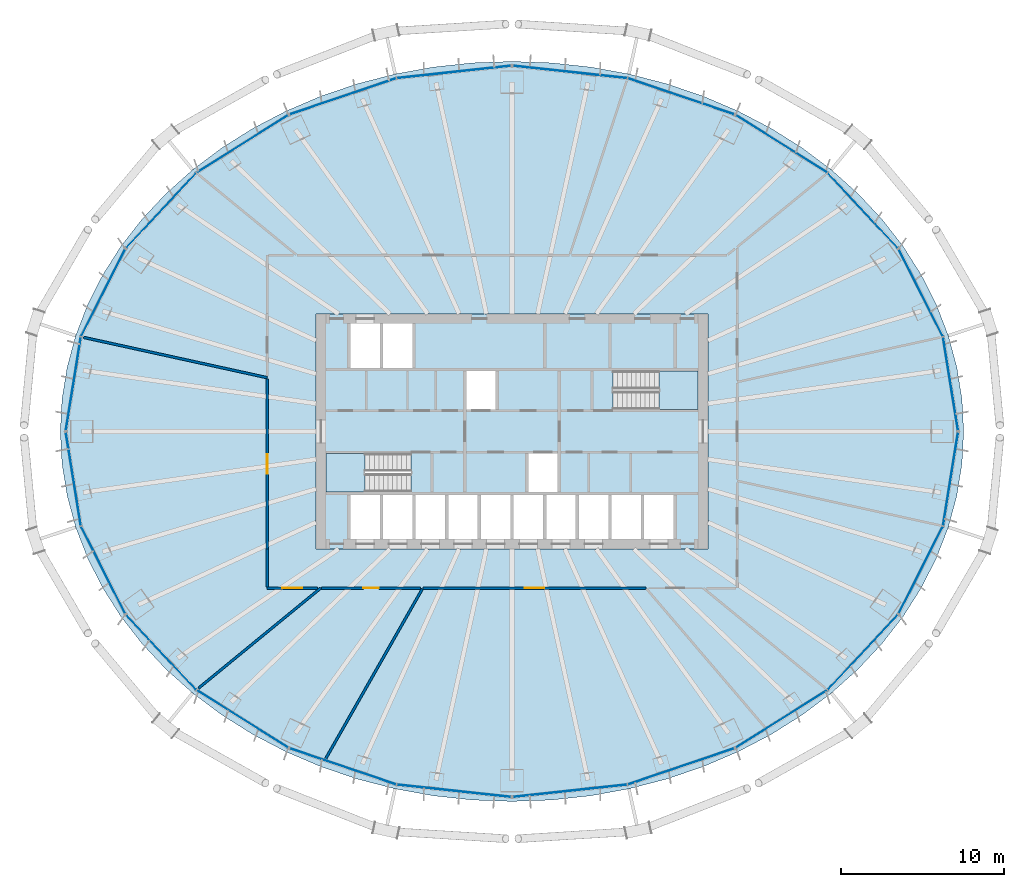
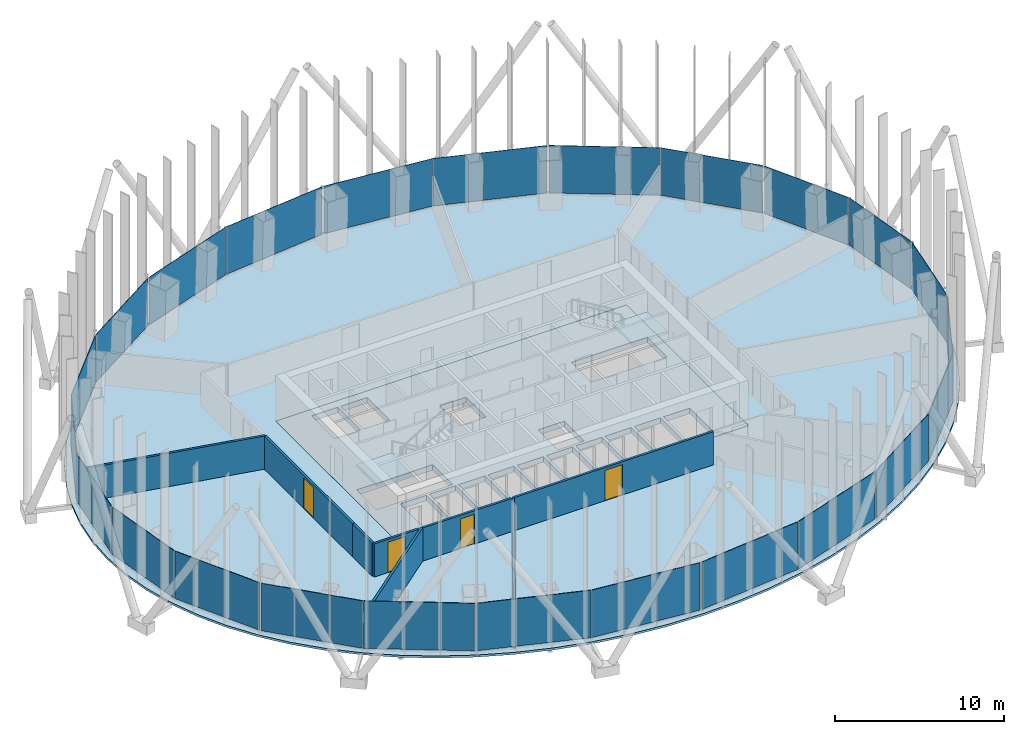
# One storey, part 6 of 19: 24 plates, 8 walls, 4 doors, 4 slabs, 4 openings, 14 elements without a shape of their own.
"""IFC4 building model written with IfcOpenShell, lengths in metres."""

from ifc_helpers import new_model, si_unit, direction, frame, frame_2d, origin, origin_2d, place, context, subcontext, project, spatial, polyline, rectangle, outline, extrude, material, layer, layer_set, type_object, element, fill, aggregate, save


model = new_model("IFC4")

# Units and contexts
model_context = context("Model", 3, precision=1e-05, world=origin(), true_north=direction((0.0, 1.0)))
body_context = subcontext(model_context, "Body", "Model", "MODEL_VIEW")
ifc_project = project(units=[si_unit("LENGTHUNIT", "METRE"), si_unit("AREAUNIT", "SQUARE_METRE"), si_unit("VOLUMEUNIT", "CUBIC_METRE"), si_unit("PLANEANGLEUNIT", "RADIAN"), si_unit("MASSUNIT", "GRAM", prefix="KILO")], contexts=[model_context])

# Site, building, storey
site_placement = place(None, origin())
site = spatial("IfcSite", under=ifc_project, at=site_placement, CompositionType="ELEMENT")
building_placement = place(site_placement, origin())
building = spatial("IfcBuilding", under=site, at=building_placement, Name="Siaravel Broadcast Tower", CompositionType="ELEMENT")
storey_placement = place(building_placement, frame((0.0, 0.0, 59.300048828125)))
storey = spatial("IfcBuildingStorey", under=building, at=storey_placement, Name="L13", CompositionType="ELEMENT", Elevation=59.300048828125)

# Curtain wall, plates
ifc_material_1 = material(Name="Aluminium 6063-T6", Category="aluminium")
ifc_layer_1 = layer(ifc_material_1, 0.219970703125)
ifc_layer_set_1 = layer_set([ifc_layer_1], Name="Aluminium 6063-T6")
curtain_wall_type = type_object("IfcCurtainWallType", Name="Unitised curtain wall, zone 1", PredefinedType="NOTDEFINED", material=ifc_layer_set_1)
curtain_wall_1_placement = place(storey_placement, origin())
curtain_wall_1 = element("IfcCurtainWall", 1, at=curtain_wall_1_placement, inside=storey, type_object=curtain_wall_type, Name="L13 Unitised curtain wall, zone 1 01", PredefinedType="NOTDEFINED")
ifc_material_2 = material(Name="Tinted laminated glass", Category="glass")
ifc_layer_2 = layer(ifc_material_2, 0.031982421875)
ifc_layer_set_2 = layer_set([ifc_layer_2], Name="Tinted laminated glass")
plate_type = type_object("IfcPlateType", Name="CW-Z1 glass panel", PredefinedType="CURTAIN_PANEL", material=ifc_layer_set_2)
plate_1_placement = place(storey_placement, frame((26.878662109375, 2.918701171875, 0.1201171875), z_axis=(0.0, 0.0, 1.0), x_axis=(-0.158686233, 0.987329063, 0.0)))
plate_1 = element("IfcPlate", 2, at=plate_1_placement, type_object=plate_type, Name="CW-Z1 glass panel", PredefinedType="CURTAIN_PANEL", context=body_context, shape_type="SweptSolid", body=[
    extrude(rectangle(XDim=5.772216796875, YDim=0.031982421875, at=origin_2d()), origin(), (0.0, 0.0, 1.0), 3.429931640625),
])
plate_2_placement = place(storey_placement, frame((25.05615234375, 8.489990234375, 0.1201171875), z_axis=(0.0, 0.0, 1.0), x_axis=(-0.451262428, 0.892391293, 0.0)))
plate_2 = element("IfcPlate", 3, at=plate_2_placement, type_object=plate_type, Name="CW-Z1 glass panel", PredefinedType="CURTAIN_PANEL", context=body_context, shape_type="SweptSolid", body=[
    extrude(rectangle(XDim=5.952880859375, YDim=0.031982421875, at=origin_2d()), origin(), (0.0, 0.0, 1.0), 3.429931640625),
])
aggregate(curtain_wall_1, [plate_1, plate_2])

curtain_wall_2_placement = place(storey_placement, origin())
curtain_wall_2 = element("IfcCurtainWall", 4, at=curtain_wall_2_placement, inside=storey, type_object=curtain_wall_type, Name="L13 Unitised curtain wall, zone 1 02", PredefinedType="NOTDEFINED")
plate_3_placement = place(storey_placement, frame((21.495849609375, 13.5419921875, 0.1201171875), z_axis=(0.0, 0.0, 1.0), x_axis=(-0.683656509, 0.729803931, 0.0)))
plate_3 = element("IfcPlate", 5, at=plate_3_placement, type_object=plate_type, Name="CW-Z1 glass panel", PredefinedType="CURTAIN_PANEL", context=body_context, shape_type="SweptSolid", body=[
    extrude(rectangle(XDim=6.25390625, YDim=0.031982421875, at=origin_2d()), origin(), (0.0, 0.0, 1.0), 3.429931640625),
])
plate_4_placement = place(storey_placement, frame((16.51708984375, 17.6201171875, 0.1201171875), z_axis=(0.0, 0.0, 1.0), x_axis=(-0.846651392, 0.532147932, 0.0)))
plate_4 = element("IfcPlate", 6, at=plate_4_placement, type_object=plate_type, Name="CW-Z1 glass panel", PredefinedType="CURTAIN_PANEL", context=body_context, shape_type="SweptSolid", body=[
    extrude(rectangle(XDim=6.584716796875, YDim=0.031982421875, at=origin_2d()), origin(), (0.0, 0.0, 1.0), 3.429931640625),
])
aggregate(curtain_wall_2, [plate_3, plate_4])

curtain_wall_3_placement = place(storey_placement, origin())
curtain_wall_3 = element("IfcCurtainWall", 7, at=curtain_wall_3_placement, inside=storey, type_object=curtain_wall_type, Name="L13 Unitised curtain wall, zone 1 03", PredefinedType="NOTDEFINED")
plate_5_placement = place(storey_placement, frame((10.3564453125, 20.53369140625, 0.1201171875), z_axis=(0.0, 0.0, 1.0), x_axis=(-0.946977551, 0.321299732, 0.0)))
plate_5 = element("IfcPlate", 8, at=plate_5_placement, type_object=plate_type, Name="CW-Z1 glass panel", PredefinedType="CURTAIN_PANEL", context=body_context, shape_type="SweptSolid", body=[
    extrude(rectangle(XDim=6.858642578125, YDim=0.031982421875, at=origin_2d()), origin(), (0.0, 0.0, 1.0), 3.429931640625),
])
plate_6_placement = place(storey_placement, frame((3.555419921875, 22.026611328125, 0.1201171875), z_axis=(0.0, 0.0, 1.0), x_axis=(-0.994235625, 0.107217176, 0.0)))
plate_6 = element("IfcPlate", 9, at=plate_6_placement, type_object=plate_type, Name="CW-Z1 glass panel", PredefinedType="CURTAIN_PANEL", context=body_context, shape_type="SweptSolid", body=[
    extrude(rectangle(XDim=7.011962890625, YDim=0.031982421875, at=origin_2d()), origin(), (0.0, 0.0, 1.0), 3.429931640625),
])
aggregate(curtain_wall_3, [plate_5, plate_6])

curtain_wall_4_placement = place(storey_placement, origin())
curtain_wall_4 = element("IfcCurtainWall", 10, at=curtain_wall_4_placement, inside=storey, type_object=curtain_wall_type, Name="L13 Unitised curtain wall, zone 1 04", PredefinedType="NOTDEFINED")
plate_7_placement = place(storey_placement, frame((-3.555419921875, 22.026611328125, 0.1201171875), z_axis=(0.0, 0.0, 1.0), x_axis=(-0.994235625, -0.107217176, 0.0)))
plate_7 = element("IfcPlate", 11, at=plate_7_placement, type_object=plate_type, Name="CW-Z1 glass panel", PredefinedType="CURTAIN_PANEL", context=body_context, shape_type="SweptSolid", body=[
    extrude(rectangle(XDim=7.011962890625, YDim=0.031982421875, at=origin_2d()), origin(), (0.0, 0.0, 1.0), 3.429931640625),
])
plate_8_placement = place(storey_placement, frame((-10.3564453125, 20.53369140625, 0.1201171875), z_axis=(0.0, 0.0, 1.0), x_axis=(-0.946977551, -0.321299732, 0.0)))
plate_8 = element("IfcPlate", 12, at=plate_8_placement, type_object=plate_type, Name="CW-Z1 glass panel", PredefinedType="CURTAIN_PANEL", context=body_context, shape_type="SweptSolid", body=[
    extrude(rectangle(XDim=6.858642578125, YDim=0.031982421875, at=origin_2d()), origin(), (0.0, 0.0, 1.0), 3.429931640625),
])
aggregate(curtain_wall_4, [plate_7, plate_8])

curtain_wall_5_placement = place(storey_placement, origin())
curtain_wall_5 = element("IfcCurtainWall", 13, at=curtain_wall_5_placement, inside=storey, type_object=curtain_wall_type, Name="L13 Unitised curtain wall, zone 1 05", PredefinedType="NOTDEFINED")
plate_9_placement = place(storey_placement, frame((-16.51708984375, 17.6201171875, 0.1201171875), z_axis=(0.0, 0.0, 1.0), x_axis=(-0.846651392, -0.532147932, 0.0)))
plate_9 = element("IfcPlate", 14, at=plate_9_placement, type_object=plate_type, Name="CW-Z1 glass panel", PredefinedType="CURTAIN_PANEL", context=body_context, shape_type="SweptSolid", body=[
    extrude(rectangle(XDim=6.584716796875, YDim=0.031982421875, at=origin_2d()), origin(), (0.0, 0.0, 1.0), 3.429931640625),
])
plate_10_placement = place(storey_placement, frame((-21.495849609375, 13.5419921875, 0.1201171875), z_axis=(0.0, 0.0, 1.0), x_axis=(-0.683656509, -0.729803931, 0.0)))
plate_10 = element("IfcPlate", 15, at=plate_10_placement, type_object=plate_type, Name="CW-Z1 glass panel", PredefinedType="CURTAIN_PANEL", context=body_context, shape_type="SweptSolid", body=[
    extrude(rectangle(XDim=6.25390625, YDim=0.031982421875, at=origin_2d()), origin(), (0.0, 0.0, 1.0), 3.429931640625),
])
aggregate(curtain_wall_5, [plate_9, plate_10])

curtain_wall_6_placement = place(storey_placement, origin())
curtain_wall_6 = element("IfcCurtainWall", 16, at=curtain_wall_6_placement, inside=storey, type_object=curtain_wall_type, Name="L13 Unitised curtain wall, zone 1 06", PredefinedType="NOTDEFINED")
plate_11_placement = place(storey_placement, frame((-25.05615234375, 8.489990234375, 0.1201171875), z_axis=(0.0, 0.0, 1.0), x_axis=(-0.451262428, -0.892391293, 0.0)))
plate_11 = element("IfcPlate", 17, at=plate_11_placement, type_object=plate_type, Name="CW-Z1 glass panel", PredefinedType="CURTAIN_PANEL", context=body_context, shape_type="SweptSolid", body=[
    extrude(rectangle(XDim=5.952880859375, YDim=0.031982421875, at=origin_2d()), origin(), (0.0, 0.0, 1.0), 3.429931640625),
])
plate_12_placement = place(storey_placement, frame((-26.878662109375, 2.918701171875, 0.1201171875), z_axis=(0.0, 0.0, 1.0), x_axis=(-0.158686233, -0.987329063, 0.0)))
plate_12 = element("IfcPlate", 18, at=plate_12_placement, type_object=plate_type, Name="CW-Z1 glass panel", PredefinedType="CURTAIN_PANEL", context=body_context, shape_type="SweptSolid", body=[
    extrude(rectangle(XDim=5.772216796875, YDim=0.031982421875, at=origin_2d()), origin(), (0.0, 0.0, 1.0), 3.429931640625),
])
aggregate(curtain_wall_6, [plate_11, plate_12])

curtain_wall_7_placement = place(storey_placement, origin())
curtain_wall_7 = element("IfcCurtainWall", 19, at=curtain_wall_7_placement, inside=storey, type_object=curtain_wall_type, Name="L13 Unitised curtain wall, zone 1 07", PredefinedType="NOTDEFINED")
plate_13_placement = place(storey_placement, frame((-26.878662109375, -2.918701171875, 0.1201171875), z_axis=(0.0, 0.0, 1.0), x_axis=(0.158686233, -0.987329063, 0.0)))
plate_13 = element("IfcPlate", 20, at=plate_13_placement, type_object=plate_type, Name="CW-Z1 glass panel", PredefinedType="CURTAIN_PANEL", context=body_context, shape_type="SweptSolid", body=[
    extrude(rectangle(XDim=5.772216796875, YDim=0.031982421875, at=origin_2d()), origin(), (0.0, 0.0, 1.0), 3.429931640625),
])
plate_14_placement = place(storey_placement, frame((-25.05615234375, -8.489990234375, 0.1201171875), z_axis=(0.0, 0.0, 1.0), x_axis=(0.451262428, -0.892391293, 0.0)))
plate_14 = element("IfcPlate", 21, at=plate_14_placement, type_object=plate_type, Name="CW-Z1 glass panel", PredefinedType="CURTAIN_PANEL", context=body_context, shape_type="SweptSolid", body=[
    extrude(rectangle(XDim=5.952880859375, YDim=0.031982421875, at=origin_2d()), origin(), (0.0, 0.0, 1.0), 3.429931640625),
])
aggregate(curtain_wall_7, [plate_13, plate_14])

curtain_wall_8_placement = place(storey_placement, origin())
curtain_wall_8 = element("IfcCurtainWall", 22, at=curtain_wall_8_placement, inside=storey, type_object=curtain_wall_type, Name="L13 Unitised curtain wall, zone 1 08", PredefinedType="NOTDEFINED")
plate_15_placement = place(storey_placement, frame((-21.495849609375, -13.5419921875, 0.1201171875), z_axis=(0.0, 0.0, 1.0), x_axis=(0.683656509, -0.729803931, 0.0)))
plate_15 = element("IfcPlate", 23, at=plate_15_placement, type_object=plate_type, Name="CW-Z1 glass panel", PredefinedType="CURTAIN_PANEL", context=body_context, shape_type="SweptSolid", body=[
    extrude(rectangle(XDim=6.25390625, YDim=0.031982421875, at=origin_2d()), origin(), (0.0, 0.0, 1.0), 3.429931640625),
])
plate_16_placement = place(storey_placement, frame((-16.51708984375, -17.6201171875, 0.1201171875), z_axis=(0.0, 0.0, 1.0), x_axis=(0.846651392, -0.532147932, 0.0)))
plate_16 = element("IfcPlate", 24, at=plate_16_placement, type_object=plate_type, Name="CW-Z1 glass panel", PredefinedType="CURTAIN_PANEL", context=body_context, shape_type="SweptSolid", body=[
    extrude(rectangle(XDim=6.584716796875, YDim=0.031982421875, at=origin_2d()), origin(), (0.0, 0.0, 1.0), 3.429931640625),
])
aggregate(curtain_wall_8, [plate_15, plate_16])

curtain_wall_9_placement = place(storey_placement, origin())
curtain_wall_9 = element("IfcCurtainWall", 25, at=curtain_wall_9_placement, inside=storey, type_object=curtain_wall_type, Name="L13 Unitised curtain wall, zone 1 09", PredefinedType="NOTDEFINED")
plate_17_placement = place(storey_placement, frame((-10.3564453125, -20.53369140625, 0.1201171875), z_axis=(0.0, 0.0, 1.0), x_axis=(0.946977551, -0.321299732, 0.0)))
plate_17 = element("IfcPlate", 26, at=plate_17_placement, type_object=plate_type, Name="CW-Z1 glass panel", PredefinedType="CURTAIN_PANEL", context=body_context, shape_type="SweptSolid", body=[
    extrude(rectangle(XDim=6.858642578125, YDim=0.031982421875, at=origin_2d()), origin(), (0.0, 0.0, 1.0), 3.429931640625),
])
plate_18_placement = place(storey_placement, frame((-3.555419921875, -22.026611328125, 0.1201171875), z_axis=(0.0, 0.0, 1.0), x_axis=(0.994235625, -0.107217176, 0.0)))
plate_18 = element("IfcPlate", 27, at=plate_18_placement, type_object=plate_type, Name="CW-Z1 glass panel", PredefinedType="CURTAIN_PANEL", context=body_context, shape_type="SweptSolid", body=[
    extrude(rectangle(XDim=7.011962890625, YDim=0.031982421875, at=origin_2d()), origin(), (0.0, 0.0, 1.0), 3.429931640625),
])
aggregate(curtain_wall_9, [plate_17, plate_18])

curtain_wall_10_placement = place(storey_placement, origin())
curtain_wall_10 = element("IfcCurtainWall", 28, at=curtain_wall_10_placement, inside=storey, type_object=curtain_wall_type, Name="L13 Unitised curtain wall, zone 1 10", PredefinedType="NOTDEFINED")
plate_19_placement = place(storey_placement, frame((3.555419921875, -22.026611328125, 0.1201171875), z_axis=(0.0, 0.0, 1.0), x_axis=(0.994235625, 0.107217176, 0.0)))
plate_19 = element("IfcPlate", 29, at=plate_19_placement, type_object=plate_type, Name="CW-Z1 glass panel", PredefinedType="CURTAIN_PANEL", context=body_context, shape_type="SweptSolid", body=[
    extrude(rectangle(XDim=7.011962890625, YDim=0.031982421875, at=origin_2d()), origin(), (0.0, 0.0, 1.0), 3.429931640625),
])
plate_20_placement = place(storey_placement, frame((10.3564453125, -20.53369140625, 0.1201171875), z_axis=(0.0, 0.0, 1.0), x_axis=(0.946977551, 0.321299732, 0.0)))
plate_20 = element("IfcPlate", 30, at=plate_20_placement, type_object=plate_type, Name="CW-Z1 glass panel", PredefinedType="CURTAIN_PANEL", context=body_context, shape_type="SweptSolid", body=[
    extrude(rectangle(XDim=6.858642578125, YDim=0.031982421875, at=origin_2d()), origin(), (0.0, 0.0, 1.0), 3.429931640625),
])
aggregate(curtain_wall_10, [plate_19, plate_20])

curtain_wall_11_placement = place(storey_placement, origin())
curtain_wall_11 = element("IfcCurtainWall", 31, at=curtain_wall_11_placement, inside=storey, type_object=curtain_wall_type, Name="L13 Unitised curtain wall, zone 1 11", PredefinedType="NOTDEFINED")
plate_21_placement = place(storey_placement, frame((16.51708984375, -17.6201171875, 0.1201171875), z_axis=(0.0, 0.0, 1.0), x_axis=(0.846651392, 0.532147932, 0.0)))
plate_21 = element("IfcPlate", 32, at=plate_21_placement, type_object=plate_type, Name="CW-Z1 glass panel", PredefinedType="CURTAIN_PANEL", context=body_context, shape_type="SweptSolid", body=[
    extrude(rectangle(XDim=6.584716796875, YDim=0.031982421875, at=origin_2d()), origin(), (0.0, 0.0, 1.0), 3.429931640625),
])
plate_22_placement = place(storey_placement, frame((21.495849609375, -13.5419921875, 0.1201171875), z_axis=(0.0, 0.0, 1.0), x_axis=(0.683656509, 0.729803931, 0.0)))
plate_22 = element("IfcPlate", 33, at=plate_22_placement, type_object=plate_type, Name="CW-Z1 glass panel", PredefinedType="CURTAIN_PANEL", context=body_context, shape_type="SweptSolid", body=[
    extrude(rectangle(XDim=6.25390625, YDim=0.031982421875, at=origin_2d()), origin(), (0.0, 0.0, 1.0), 3.429931640625),
])
aggregate(curtain_wall_11, [plate_21, plate_22])

curtain_wall_12_placement = place(storey_placement, origin())
curtain_wall_12 = element("IfcCurtainWall", 34, at=curtain_wall_12_placement, inside=storey, type_object=curtain_wall_type, Name="L13 Unitised curtain wall, zone 1 12", PredefinedType="NOTDEFINED")
plate_23_placement = place(storey_placement, frame((25.05615234375, -8.489990234375, 0.1201171875), z_axis=(0.0, 0.0, 1.0), x_axis=(0.451262428, 0.892391293, 0.0)))
plate_23 = element("IfcPlate", 35, at=plate_23_placement, type_object=plate_type, Name="CW-Z1 glass panel", PredefinedType="CURTAIN_PANEL", context=body_context, shape_type="SweptSolid", body=[
    extrude(rectangle(XDim=5.952880859375, YDim=0.031982421875, at=origin_2d()), origin(), (0.0, 0.0, 1.0), 3.429931640625),
])
plate_24_placement = place(storey_placement, frame((26.878662109375, -2.918701171875, 0.1201171875), z_axis=(0.0, 0.0, 1.0), x_axis=(0.158686233, 0.987329063, 0.0)))
plate_24 = element("IfcPlate", 36, at=plate_24_placement, type_object=plate_type, Name="CW-Z1 glass panel", PredefinedType="CURTAIN_PANEL", context=body_context, shape_type="SweptSolid", body=[
    extrude(rectangle(XDim=5.772216796875, YDim=0.031982421875, at=origin_2d()), origin(), (0.0, 0.0, 1.0), 3.429931640625),
])
aggregate(curtain_wall_12, [plate_23, plate_24])

# Slabs
ifc_material_3 = material(Name="Concrete C40/50", Category="concrete")
ifc_layer_3 = layer(ifc_material_3, 0.39990234375)
ifc_layer_set_3 = layer_set([ifc_layer_3], Name="Concrete C40/50")
slab_type_1 = type_object("IfcSlabType", Name="Core floor slab 400", PredefinedType="FLOOR", material=ifc_layer_set_3)
slab_1_placement = place(storey_placement, frame((0.0, 0.0, -0.400146484375)))
element("IfcSlab", 37, at=slab_1_placement, inside=storey, type_object=slab_type_1, Name="L13 core floor", PredefinedType="FLOOR", context=body_context, shape_type="SweptSolid", body=[
    extrude(outline(polyline([(-12.0, -7.199951171875), (-12.0, 7.199951171875), (12.0, 7.199951171875), (12.0, -7.199951171875), (-12.0, -7.199951171875)]), holes=[polyline([(11.3994140625, 1.3505859375), (11.3994140625, 3.699462890625), (6.200439453125, 3.699462890625), (6.200439453125, 1.3505859375), (11.3994140625, 1.3505859375)]), polyline([(9.89990234375, -3.89990234375), (8.10009765625, -3.89990234375), (8.10009765625, -6.60009765625), (9.89990234375, -6.60009765625), (9.89990234375, -3.89990234375)]), polyline([(7.89990234375, -3.89990234375), (6.10009765625, -3.89990234375), (6.10009765625, -6.60009765625), (7.89990234375, -6.60009765625), (7.89990234375, -3.89990234375)]), polyline([(5.89990234375, -3.89990234375), (4.10009765625, -3.89990234375), (4.10009765625, -6.60009765625), (5.89990234375, -6.60009765625), (5.89990234375, -3.89990234375)]), polyline([(3.89990234375, -3.89990234375), (2.10009765625, -3.89990234375), (2.10009765625, -6.60009765625), (3.89990234375, -6.60009765625), (3.89990234375, -3.89990234375)]), polyline([(2.800048828125, -1.35009765625), (1.0, -1.35009765625), (1.0, -3.699951171875), (2.800048828125, -3.699951171875), (2.800048828125, -1.35009765625)]), polyline([(1.89990234375, -3.89990234375), (0.10009765625, -3.89990234375), (0.10009765625, -6.60009765625), (1.89990234375, -6.60009765625), (1.89990234375, -3.89990234375)]), polyline([(-0.10009765625, -3.89990234375), (-1.89990234375, -3.89990234375), (-1.89990234375, -6.60009765625), (-0.10009765625, -6.60009765625), (-0.10009765625, -3.89990234375)]), polyline([(-1.0, 3.699951171875), (-2.800048828125, 3.699951171875), (-2.800048828125, 1.35009765625), (-1.0, 1.35009765625), (-1.0, 3.699951171875)]), polyline([(-2.10009765625, -3.89990234375), (-3.89990234375, -3.89990234375), (-3.89990234375, -6.60009765625), (-2.10009765625, -6.60009765625), (-2.10009765625, -3.89990234375)]), polyline([(-4.10009765625, -3.89990234375), (-5.89990234375, -3.89990234375), (-5.89990234375, -6.60009765625), (-4.10009765625, -6.60009765625), (-4.10009765625, -3.89990234375)]), polyline([(-6.10009765625, -3.89990234375), (-7.89990234375, -3.89990234375), (-7.89990234375, -6.60009765625), (-6.10009765625, -6.60009765625), (-6.10009765625, -3.89990234375)]), polyline([(-6.10009765625, 6.60009765625), (-7.89990234375, 6.60009765625), (-7.89990234375, 3.89990234375), (-6.10009765625, 3.89990234375), (-6.10009765625, 6.60009765625)]), polyline([(-11.3994140625, -1.3505859375), (-11.3994140625, -3.699462890625), (-6.200439453125, -3.699462890625), (-6.200439453125, -1.3505859375), (-11.3994140625, -1.3505859375)]), polyline([(-8.10009765625, -3.89990234375), (-9.89990234375, -3.89990234375), (-9.89990234375, -6.60009765625), (-8.10009765625, -6.60009765625), (-8.10009765625, -3.89990234375)]), polyline([(-8.10009765625, 6.60009765625), (-9.89990234375, 6.60009765625), (-9.89990234375, 3.89990234375), (-8.10009765625, 3.89990234375), (-8.10009765625, 6.60009765625)])]), origin(), (0.0, 0.0, 1.0), 0.400146484375),
])
ifc_layer_4 = layer(ifc_material_3, 0.14990234375)
ifc_layer_set_4 = layer_set([ifc_layer_4], Name="Concrete C40/50")
slab_type_2 = type_object("IfcSlabType", Name="SLB-FLOOR-150", PredefinedType="FLOOR", material=ifc_layer_set_4)
slab_2_placement = place(storey_placement, frame((0.0, 0.0, -0.150146484375)))
element("IfcSlab", 38, at=slab_2_placement, inside=storey, type_object=slab_type_2, Name="Floor slab", PredefinedType="FLOOR", context=body_context, shape_type="SweptSolid", body=[
    extrude(outline(polyline([(27.681884765625, 0.0), (27.57666015625, 1.976318359375), (27.26123046875, 3.9375), (26.73876953125, 5.86865234375), (26.012451171875, 7.755126953125), (25.08837890625, 9.582763671875), (23.97314453125, 11.33740234375), (22.67578125, 13.005615234375), (21.20556640625, 14.574951171875), (19.57421875, 16.033447265625), (17.793701171875, 17.369873046875), (15.877685546875, 18.573974609375), (13.841064453125, 19.63671875), (11.698974609375, 20.55029296875), (9.4677734375, 21.30712890625), (7.16455078125, 21.902099609375), (4.806884765625, 22.330078125), (2.41259765625, 22.58837890625), (0.0, 22.674560546875), (-2.41259765625, 22.58837890625), (-4.806884765625, 22.330078125), (-7.16455078125, 21.902099609375), (-9.4677734375, 21.30712890625), (-11.698974609375, 20.55029296875), (-13.8408203125, 19.63671875), (-15.877685546875, 18.573974609375), (-17.793701171875, 17.369873046875), (-19.57421875, 16.033447265625), (-21.20556640625, 14.574951171875), (-22.67578125, 13.005615234375), (-23.97314453125, 11.33740234375), (-25.08837890625, 9.582763671875), (-26.012451171875, 7.755126953125), (-26.73876953125, 5.86865234375), (-27.26123046875, 3.9375), (-27.57666015625, 1.976318359375), (-27.681884765625, 0.0), (-27.57666015625, -1.976318359375), (-27.26123046875, -3.9375), (-26.73876953125, -5.86865234375), (-26.012451171875, -7.755126953125), (-25.08837890625, -9.582763671875), (-23.97314453125, -11.33740234375), (-22.67578125, -13.005615234375), (-21.20556640625, -14.574951171875), (-19.57421875, -16.033447265625), (-17.793701171875, -17.369873046875), (-15.877685546875, -18.573974609375), (-13.841064453125, -19.63671875), (-11.698974609375, -20.55029296875), (-9.4677734375, -21.30712890625), (-7.16455078125, -21.902099609375), (-4.806884765625, -22.330078125), (-2.41259765625, -22.58837890625), (0.0, -22.674560546875), (2.41259765625, -22.58837890625), (4.806884765625, -22.330078125), (7.16455078125, -21.902099609375), (9.4677734375, -21.30712890625), (11.698974609375, -20.55029296875), (13.841064453125, -19.63671875), (15.877685546875, -18.573974609375), (17.793701171875, -17.369873046875), (19.57421875, -16.033447265625), (21.20556640625, -14.574951171875), (22.67578125, -13.005615234375), (23.97314453125, -11.33740234375), (25.08837890625, -9.582763671875), (26.012451171875, -7.755126953125), (26.73876953125, -5.86865234375), (27.26123046875, -3.9375), (27.57666015625, -1.976318359375), (27.681884765625, 0.0)]), holes=[polyline([(-12.0, 7.199951171875), (12.0, 7.199951171875), (12.0, -7.199951171875), (-12.0, -7.199951171875), (-12.0, 7.199951171875)])]), origin(), (0.0, 0.0, 1.0), 0.150146484375),
])

# Stair, slab
stair_type = type_object("IfcStairType", Name="Core exit stair", PredefinedType="HALF_TURN_STAIR", material=ifc_material_3)
stair_1_placement = place(storey_placement, origin())
stair_1 = element("IfcStair", 39, at=stair_1_placement, inside=storey, type_object=stair_type, Name="L13 Exit stair ST-1", PredefinedType="HALF_TURN_STAIR")
ifc_layer_5 = layer(ifc_material_3, 0.199951171875)
ifc_layer_set_5 = layer_set([ifc_layer_5], Name="Concrete C40/50")
slab_type_3 = type_object("IfcSlabType", Name="Stair landing", PredefinedType="LANDING", material=ifc_layer_set_5)
slab_3_placement = place(storey_placement, frame((0.0, 0.0, 1.64990234375)))
slab_3 = element("IfcSlab", 40, at=slab_3_placement, type_object=slab_type_3, Name="ST-1 landing 1", PredefinedType="LANDING", context=body_context, shape_type="SweptSolid", body=[
    extrude(outline(polyline([(-9.0, -1.35009765625), (-11.39990234375, -1.35009765625), (-11.39990234375, -3.699951171875), (-9.0, -3.699951171875), (-9.0, -1.35009765625)])), origin(), (0.0, 0.0, 1.0), 0.199951171875),
])
aggregate(stair_1, [slab_3])

stair_2_placement = place(storey_placement, origin())
stair_2 = element("IfcStair", 41, at=stair_2_placement, inside=storey, type_object=stair_type, Name="L13 Exit stair ST-2", PredefinedType="HALF_TURN_STAIR")
slab_4_placement = place(storey_placement, frame((0.0, 0.0, 1.64990234375)))
slab_4 = element("IfcSlab", 42, at=slab_4_placement, type_object=slab_type_3, Name="ST-2 landing 1", PredefinedType="LANDING", context=body_context, shape_type="SweptSolid", body=[
    extrude(outline(polyline([(9.0, 1.35009765625), (11.39990234375, 1.35009765625), (11.39990234375, 3.699951171875), (9.0, 3.699951171875), (9.0, 1.35009765625)])), origin(), (0.0, 0.0, 1.0), 0.199951171875),
])
aggregate(stair_2, [slab_4])

# Wall, opening, door
ifc_material_4 = material(Name="Gypsum board partition", Category="gypsum")
ifc_layer_6 = layer(ifc_material_4, 0.14990234375)
ifc_layer_set_6 = layer_set([ifc_layer_6], Name="Gypsum board partition")
wall_type_1 = type_object("IfcWallType", Name="Corridor wall 150", PredefinedType="PARTITIONING", material=ifc_layer_set_6)
wall_1_placement = place(storey_placement, frame((-5.465087890625, -9.60009765625, 0.0), z_axis=(0.0, 0.0, 1.0), x_axis=(1.0, 0.0, 0.0)))
wall_1 = element("IfcWall", 43, at=wall_1_placement, inside=storey, type_object=wall_type_1, Name="L13 partition 2", PredefinedType="PARTITIONING", context=body_context, shape_type="SweptSolid", body=[
    extrude(rectangle(XDim=13.671630859375, YDim=0.14990234375, at=frame_2d((6.8359375, 0.0))), origin(), (0.0, 0.0, 1.0), 2.39990234375),
])
opening_1_placement = place(wall_1_placement, frame((6.23583984375, 0.0, 0.0)))
opening_1 = element("IfcOpeningElement", 44, at=opening_1_placement, cuts=wall_1, Name="Opening L13-012", PredefinedType="OPENING", context=body_context, shape_type="SweptSolid", body=[
    extrude(rectangle(XDim=1.199951171875, YDim=2.199951171875, at=frame_2d((0.60009765625, 1.10009765625))), frame((0.0, 0.0849609375, 0.0), z_axis=(0.0, -1.0, 0.0), x_axis=(1.0, 0.0, 0.0)), (0.0, 0.0, 1.0), 0.169921875),
])
ifc_material_5 = material(Name="Timber veneer", Category="wood")
door_type_1 = type_object("IfcDoorType", Name="Office double door 1200", OperationType="DOUBLE_DOOR_SINGLE_SWING", PredefinedType="DOOR", material=ifc_material_5)
door_1_placement = place(opening_1_placement, origin())
door_1 = element("IfcDoor", 45, at=door_1_placement, inside=storey, type_object=door_type_1, Name="L13 door to Open plan newsroom", OperationType="DOUBLE_DOOR_SINGLE_SWING", OverallHeight=2.199951171875, OverallWidth=1.199951171875, PredefinedType="DOOR", context=body_context, shape_type="SweptSolid", body=[
    extrude(rectangle(XDim=1.199951171875, YDim=2.199951171875, at=frame_2d((0.60009765625, 1.10009765625))), frame((0.0, 0.02490234375, 0.0), z_axis=(0.0, -1.0, 0.0), x_axis=(1.0, 0.0, 0.0)), (0.0, 0.0, 1.0), 0.050048828125),
])
fill(opening_1, door_1)

wall_2_placement = place(storey_placement, frame((-15.0, 3.217041015625, 0.0), z_axis=(0.0, 0.0, 1.0), x_axis=(0.0, -1.0, 0.0)))
wall_2 = element("IfcWall", 46, at=wall_2_placement, inside=storey, type_object=wall_type_1, Name="L13 partition 9", PredefinedType="PARTITIONING", context=body_context, shape_type="SweptSolid", body=[
    extrude(rectangle(XDim=10.428955078125, YDim=0.14990234375, at=frame_2d((5.21435546875, 0.0))), origin(), (0.0, 0.0, 1.0), 2.39990234375),
])
opening_2_placement = place(wall_2_placement, frame((4.614501953125, 0.0, 0.0)))
opening_2 = element("IfcOpeningElement", 47, at=opening_2_placement, cuts=wall_2, Name="Opening L13-009", PredefinedType="OPENING", context=body_context, shape_type="SweptSolid", body=[
    extrude(rectangle(XDim=1.199951171875, YDim=2.199951171875, at=frame_2d((0.60009765625, 1.10009765625))), frame((0.0, 0.0849609375, 0.0), z_axis=(0.0, -1.0, 0.0), x_axis=(1.0, 0.0, 0.0)), (0.0, 0.0, 1.0), 0.169921875),
])
door_2_placement = place(opening_2_placement, origin())
door_2 = element("IfcDoor", 48, at=door_2_placement, inside=storey, type_object=door_type_1, Name="L13 door to Open plan newsroom", OperationType="DOUBLE_DOOR_SINGLE_SWING", OverallHeight=2.199951171875, OverallWidth=1.199951171875, PredefinedType="DOOR", context=body_context, shape_type="SweptSolid", body=[
    extrude(rectangle(XDim=1.199951171875, YDim=2.199951171875, at=frame_2d((0.60009765625, 1.10009765625))), frame((0.0, 0.02490234375, 0.0), z_axis=(0.0, -1.0, 0.0), x_axis=(1.0, 0.0, 0.0)), (0.0, 0.0, 1.0), 0.050048828125),
])
fill(opening_2, door_2)

wall_3_placement = place(storey_placement, frame((-11.670654296875, -9.60009765625, 0.0), z_axis=(0.0, 0.0, 1.0), x_axis=(1.0, 0.0, 0.0)))
wall_3 = element("IfcWall", 49, at=wall_3_placement, inside=storey, type_object=wall_type_1, Name="L13 partition 15", PredefinedType="PARTITIONING", context=body_context, shape_type="SweptSolid", body=[
    extrude(rectangle(XDim=6.074462890625, YDim=0.14990234375, at=frame_2d((3.037109375, 0.0))), origin(), (0.0, 0.0, 1.0), 2.39990234375),
])
opening_3_placement = place(wall_3_placement, frame((2.562255859375, 0.0, 0.0)))
opening_3 = element("IfcOpeningElement", 50, at=opening_3_placement, cuts=wall_3, Name="Opening L13-011", PredefinedType="OPENING", context=body_context, shape_type="SweptSolid", body=[
    extrude(rectangle(XDim=0.949951171875, YDim=2.14990234375, at=frame_2d((0.47509765625, 1.074951171875))), frame((0.0, 0.0849609375, 0.0), z_axis=(0.0, -1.0, 0.0), x_axis=(1.0, 0.0, 0.0)), (0.0, 0.0, 1.0), 0.169921875),
])
door_type_2 = type_object("IfcDoorType", Name="Office door 950", OperationType="SINGLE_SWING_LEFT", PredefinedType="DOOR", material=ifc_material_5)
door_3_placement = place(opening_3_placement, origin())
door_3 = element("IfcDoor", 51, at=door_3_placement, inside=storey, type_object=door_type_2, Name="L13 door to Graphics studio", OperationType="SINGLE_SWING_LEFT", OverallHeight=2.14990234375, OverallWidth=0.949951171875, PredefinedType="DOOR", context=body_context, shape_type="SweptSolid", body=[
    extrude(rectangle(XDim=0.949951171875, YDim=2.14990234375, at=frame_2d((0.47509765625, 1.074951171875))), frame((0.0, 0.02490234375, 0.0), z_axis=(0.0, -1.0, 0.0), x_axis=(1.0, 0.0, 0.0)), (0.0, 0.0, 1.0), 0.050048828125),
])
fill(opening_3, door_3)

wall_4_placement = place(storey_placement, frame((-15.0, -9.60009765625, 0.0), z_axis=(0.0, 0.0, 1.0), x_axis=(1.0, 0.0, 0.0)))
wall_4 = element("IfcWall", 52, at=wall_4_placement, inside=storey, type_object=wall_type_1, Name="L13 partition 23", PredefinedType="PARTITIONING", context=body_context, shape_type="SweptSolid", body=[
    extrude(rectangle(XDim=3.068115234375, YDim=0.14990234375, at=frame_2d((1.5341796875, 0.0))), origin(), (0.0, 0.0, 1.0), 2.39990234375),
])
opening_4_placement = place(wall_4_placement, frame((0.93408203125, 0.0, 0.0)))
opening_4 = element("IfcOpeningElement", 53, at=opening_4_placement, cuts=wall_4, Name="Opening L13-010", PredefinedType="OPENING", context=body_context, shape_type="SweptSolid", body=[
    extrude(rectangle(XDim=1.199951171875, YDim=2.199951171875, at=frame_2d((0.60009765625, 1.10009765625))), frame((0.0, 0.0849609375, 0.0), z_axis=(0.0, -1.0, 0.0), x_axis=(1.0, 0.0, 0.0)), (0.0, 0.0, 1.0), 0.169921875),
])
door_4_placement = place(opening_4_placement, origin())
door_4 = element("IfcDoor", 54, at=door_4_placement, inside=storey, type_object=door_type_1, Name="L13 door to Open plan newsroom", OperationType="DOUBLE_DOOR_SINGLE_SWING", OverallHeight=2.199951171875, OverallWidth=1.199951171875, PredefinedType="DOOR", context=body_context, shape_type="SweptSolid", body=[
    extrude(rectangle(XDim=1.199951171875, YDim=2.199951171875, at=frame_2d((0.60009765625, 1.10009765625))), frame((0.0, 0.02490234375, 0.0), z_axis=(0.0, -1.0, 0.0), x_axis=(1.0, 0.0, 0.0)), (0.0, 0.0, 1.0), 0.050048828125),
])
fill(opening_4, door_4)

# Walls
wall_5_placement = place(storey_placement, frame((-15.0, -7.212890625, 0.0), z_axis=(0.0, 0.0, 1.0), x_axis=(0.0, -1.0, 0.0)))
element("IfcWall", 55, at=wall_5_placement, inside=storey, type_object=wall_type_1, Name="L13 partition 24", PredefinedType="PARTITIONING", context=body_context, shape_type="SweptSolid", body=[
    extrude(rectangle(XDim=2.31005859375, YDim=0.14990234375, at=frame_2d((1.155029296875, 0.0))), origin(), (0.0, 0.0, 1.0), 2.39990234375),
])
ifc_layer_7 = layer(ifc_material_4, 0.14990234375)
ifc_layer_set_7 = layer_set([ifc_layer_7], Name="Gypsum board partition")
wall_type_2 = type_object("IfcWallType", Name="Room partition 150", PredefinedType="PARTITIONING", material=ifc_layer_set_7)
wall_6_placement = place(storey_placement, frame((-11.47607421875, -20.158935546875, 0.0), z_axis=(0.0, 0.0, 1.0), x_axis=(0.494734776, 0.869044016, 0.0)))
element("IfcWall", 56, at=wall_6_placement, inside=storey, type_object=wall_type_2, Name="L13 partition 5", PredefinedType="PARTITIONING", context=body_context, shape_type="SweptSolid", body=[
    extrude(rectangle(XDim=12.082763671875, YDim=0.14990234375, at=frame_2d((6.04150390625, 0.0))), origin(), (0.0, 0.0, 1.0), 2.39990234375),
])
wall_7_placement = place(storey_placement, frame((-26.25048828125, 5.761474609375, 0.0), z_axis=(0.0, 0.0, 1.0), x_axis=(0.976751272, -0.214375729, 0.0)))
element("IfcWall", 57, at=wall_7_placement, inside=storey, type_object=wall_type_2, Name="L13 partition 6", PredefinedType="PARTITIONING", context=body_context, shape_type="SweptSolid", body=[
    extrude(rectangle(XDim=11.518310546875, YDim=0.14990234375, at=frame_2d((5.75927734375, 0.0))), origin(), (0.0, 0.0, 1.0), 2.39990234375),
])
wall_8_placement = place(storey_placement, frame((-19.20703125, -15.732666015625, 0.0), z_axis=(0.0, 0.0, 1.0), x_axis=(0.77360313, 0.633670417, 0.0)))
element("IfcWall", 58, at=wall_8_placement, inside=storey, type_object=wall_type_2, Name="L13 partition 10", PredefinedType="PARTITIONING", context=body_context, shape_type="SweptSolid", body=[
    extrude(rectangle(XDim=9.677734375, YDim=0.14990234375, at=frame_2d((4.8388671875, 0.0))), origin(), (0.0, 0.0, 1.0), 2.39990234375),
])

save(model, "model.ifc")
